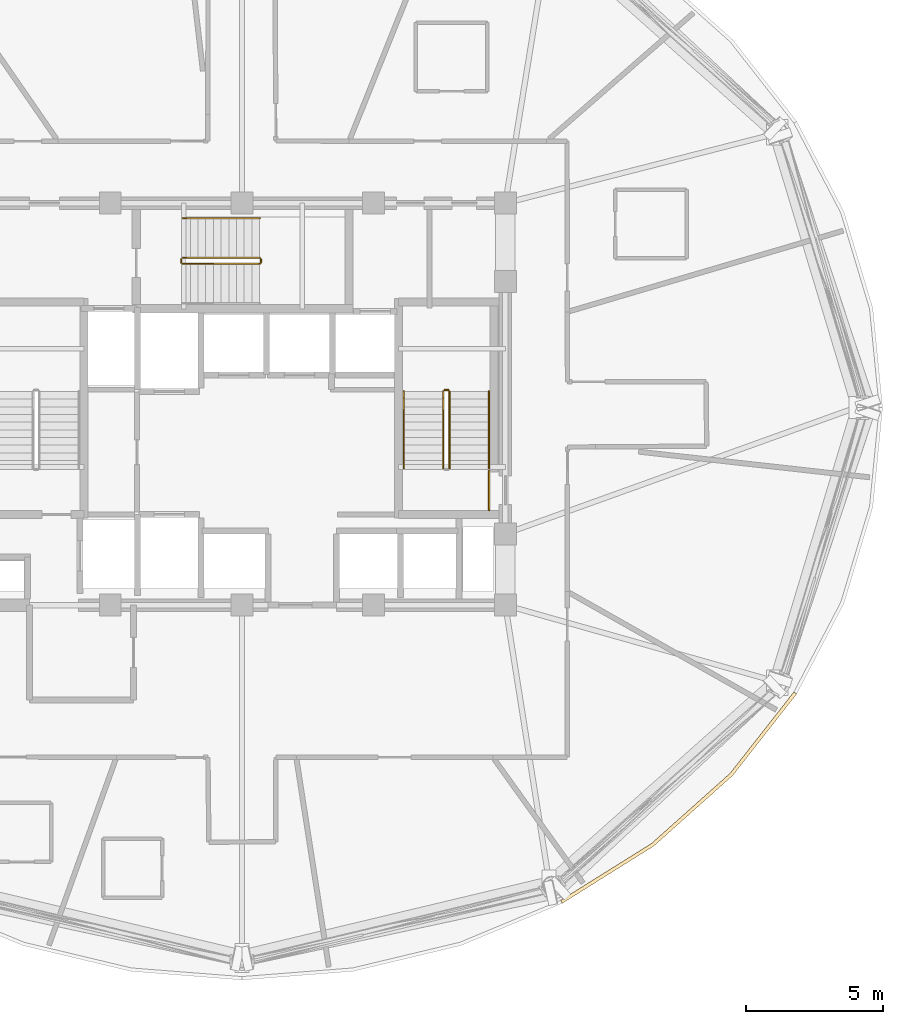
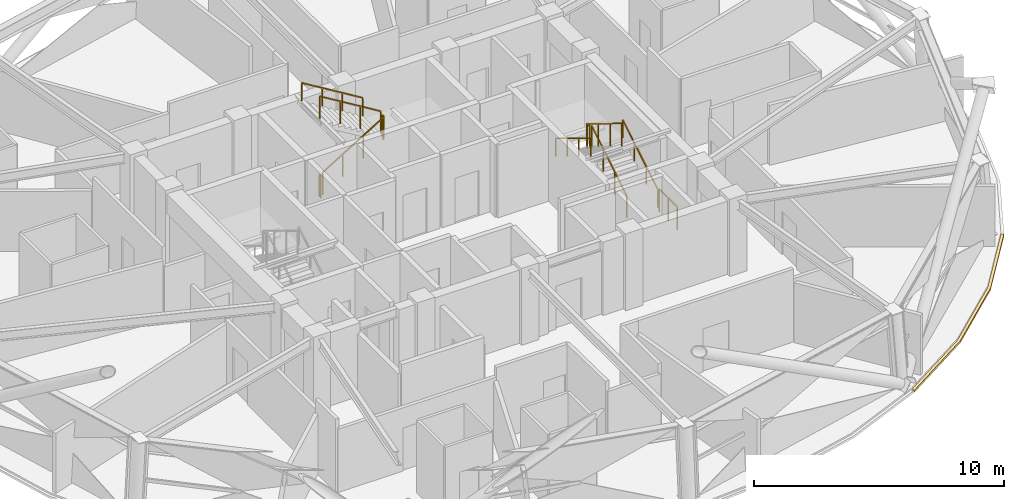
# One storey, part 11 of 12: 11 railings, 1 covering.
"""IFC4 building model written with IfcOpenShell, lengths in metres."""

from ifc_helpers import new_model, si_unit, direction, frame, origin, origin_2d, place, context, subcontext, project, spatial, polyline, rectangle, outline, extrude, material, layer, layer_set, type_object, element, save


model = new_model("IFC4")

# Units and contexts
model_context = context("Model", 3, precision=1e-05, world=origin(), true_north=direction((0.0, 1.0)))
body_context = subcontext(model_context, "Body", "Model", "MODEL_VIEW")
ifc_project = project(units=[si_unit("LENGTHUNIT", "METRE"), si_unit("AREAUNIT", "SQUARE_METRE"), si_unit("VOLUMEUNIT", "CUBIC_METRE"), si_unit("PLANEANGLEUNIT", "RADIAN"), si_unit("MASSUNIT", "GRAM", prefix="KILO")], contexts=[model_context])

# Site, building, storey
site_placement = place(None, origin())
site = spatial("IfcSite", under=ifc_project, at=site_placement, CompositionType="ELEMENT")
building_placement = place(site_placement, origin())
building = spatial("IfcBuilding", under=site, at=building_placement, Name="Vantalir Tower", CompositionType="ELEMENT")
storey_placement = place(building_placement, frame((0.0, 0.0, 197.39990234375)))
storey = spatial("IfcBuildingStorey", under=building, at=storey_placement, Name="L49", CompositionType="ELEMENT", Elevation=197.39990234375)

# Covering
ifc_material_1 = material(Name="Anodised champagne aluminium sill fascia", Category="aluminium")
ifc_layer = layer(ifc_material_1, 0.125)
ifc_layer_set = layer_set([ifc_layer], Name="Anodised champagne aluminium sill fascia")
covering_type = type_object("IfcCoveringType", Name="COV-SLAB-FASCIA-125", PredefinedType="CLADDING", material=ifc_layer_set)
covering_placement = place(storey_placement, frame((0.0, 0.0, -0.179931640625)))
element("IfcCovering", 1, at=covering_placement, inside=storey, type_object=covering_type, Name="L49 Perimeter Slab-Edge Sill Fascia 11", PredefinedType="CLADDING", context=body_context, shape_type="SweptSolid", body=[
    extrude(outline(polyline([(43.176025390625, 6.931884765625), (46.510009765625, 9.01806640625), (49.387939453125, 11.590087890625), (51.722900390625, 14.568115234375), (51.614013671875, 14.631103515625), (49.2919921875, 11.669921875), (46.428955078125, 9.114013671875), (43.113037109375, 7.0400390625), (43.176025390625, 6.931884765625)])), origin(), (0.0, 0.0, 1.0), 0.10498046875),
])

# Railings
ifc_material_2 = material(Name="Anodised aluminium and stainless steel guard", Category="steel")
railing_type_1 = type_object("IfcRailingType", Name="RAL-GUARD-1120", PredefinedType="GUARDRAIL", material=ifc_material_2)
railing_1_placement = place(storey_placement, frame((39.06005859375, 22.7900390625, 0.170654296875)))
element("IfcRailing", 2, at=railing_1_placement, inside=storey, type_object=railing_type_1, Name="L49 ST2 stair guard 1", PredefinedType="GUARDRAIL", context=body_context, shape_type="SweptSolid", body=[
    extrude(rectangle(XDim=0.048095703125, YDim=0.048095703125, at=origin_2d()), frame((0.0, 0.0, 1.09619140625), z_axis=(0.0, 0.854202870247, 0.519939858505), x_axis=(-1.0, 0.0, 0.0)), (0.0, 0.0, 1.0), 3.278076171875),
    extrude(rectangle(XDim=0.0419921875, YDim=0.0419921875, at=origin_2d()), origin(), (0.0, 0.0, 1.0), 1.072021484375),
    extrude(rectangle(XDim=0.0419921875, YDim=0.0419921875, at=origin_2d()), frame((0.0, 0.933349609375, 0.568115234375)), (0.0, 0.0, 1.0), 1.072021484375),
    extrude(rectangle(XDim=0.0419921875, YDim=0.0419921875, at=origin_2d()), frame((0.0, 1.86669921875, 1.13623046875)), (0.0, 0.0, 1.0), 1.072021484375),
    extrude(rectangle(XDim=0.0419921875, YDim=0.0419921875, at=origin_2d()), frame((0.0, 2.800048828125, 1.704345703125)), (0.0, 0.0, 1.0), 1.072021484375),
])
railing_2_placement = place(storey_placement, frame((39.010009765625, 25.639892578125, 1.875)))
element("IfcRailing", 3, at=railing_2_placement, inside=storey, type_object=railing_type_1, Name="L49 ST2 stair guard 2", PredefinedType="GUARDRAIL", context=body_context, shape_type="SweptSolid", body=[
    extrude(rectangle(XDim=0.048095703125, YDim=0.048095703125, at=origin_2d()), frame((0.0, 0.0, 1.09619140625), z_axis=(-1.0, 0.0, 0.0), x_axis=(0.0, -1.0, 0.0)), (0.0, 0.0, 1.0), 0.1201171875),
    extrude(rectangle(XDim=0.0419921875, YDim=0.0419921875, at=origin_2d()), origin(), (0.0, 0.0, 1.0), 1.072021484375),
    extrude(rectangle(XDim=0.0419921875, YDim=0.0419921875, at=origin_2d()), frame((-0.1201171875, 0.0, 0.0)), (0.0, 0.0, 1.0), 1.072021484375),
])
railing_3_placement = place(storey_placement, frame((38.840087890625, 25.590087890625, 2.045654296875)))
element("IfcRailing", 4, at=railing_3_placement, inside=storey, type_object=railing_type_1, Name="L49 ST2 stair guard 3", PredefinedType="GUARDRAIL", context=body_context, shape_type="SweptSolid", body=[
    extrude(rectangle(XDim=0.048095703125, YDim=0.048095703125, at=origin_2d()), frame((0.0, 0.0, 1.09619140625), z_axis=(0.0, -0.854202870247, 0.519939858505), x_axis=(1.0, 0.0, 0.0)), (0.0, 0.0, 1.0), 3.278076171875),
    extrude(rectangle(XDim=0.0419921875, YDim=0.0419921875, at=origin_2d()), origin(), (0.0, 0.0, 1.0), 1.072021484375),
    extrude(rectangle(XDim=0.0419921875, YDim=0.0419921875, at=origin_2d()), frame((0.0, -0.933349609375, 0.568115234375)), (0.0, 0.0, 1.0), 1.072021484375),
    extrude(rectangle(XDim=0.0419921875, YDim=0.0419921875, at=origin_2d()), frame((0.0, -1.86669921875, 1.13623046875)), (0.0, 0.0, 1.0), 1.072021484375),
    extrude(rectangle(XDim=0.0419921875, YDim=0.0419921875, at=origin_2d()), frame((0.0, -2.800048828125, 1.704345703125)), (0.0, 0.0, 1.0), 1.072021484375),
])
railing_4_placement = place(storey_placement, frame((29.340087890625, 30.239990234375, 0.170654296875)))
element("IfcRailing", 5, at=railing_4_placement, inside=storey, type_object=railing_type_1, Name="L49 ST3 stair guard 1", PredefinedType="GUARDRAIL", context=body_context, shape_type="SweptSolid", body=[
    extrude(rectangle(XDim=0.048095703125, YDim=0.048095703125, at=origin_2d()), frame((0.0, 0.0, 1.09619140625), z_axis=(0.854182733786, 0.0, 0.519972939009), x_axis=(0.0, 1.0, 0.0)), (0.0, 0.0, 1.0), 3.27783203125),
    extrude(rectangle(XDim=0.0419921875, YDim=0.0419921875, at=origin_2d()), origin(), (0.0, 0.0, 1.0), 1.072021484375),
    extrude(rectangle(XDim=0.0419921875, YDim=0.0419921875, at=origin_2d()), frame((0.933349609375, 0.0, 0.568115234375)), (0.0, 0.0, 1.0), 1.072021484375),
    extrude(rectangle(XDim=0.0419921875, YDim=0.0419921875, at=origin_2d()), frame((1.866455078125, 0.0, 1.13623046875)), (0.0, 0.0, 1.0), 1.072021484375),
    extrude(rectangle(XDim=0.0419921875, YDim=0.0419921875, at=origin_2d()), frame((2.7998046875, 0.0, 1.704345703125)), (0.0, 0.0, 1.0), 1.072021484375),
])
railing_5_placement = place(storey_placement, frame((32.18994140625, 30.2900390625, 1.875)))
element("IfcRailing", 6, at=railing_5_placement, inside=storey, type_object=railing_type_1, Name="L49 ST3 stair guard 2", PredefinedType="GUARDRAIL", context=body_context, shape_type="SweptSolid", body=[
    extrude(rectangle(XDim=0.048095703125, YDim=0.048095703125, at=origin_2d()), frame((0.0, 0.0, 1.09619140625), z_axis=(0.0, 1.0, 0.0), x_axis=(-1.0, 0.0, 0.0)), (0.0, 0.0, 1.0), 0.119873046875),
    extrude(rectangle(XDim=0.0419921875, YDim=0.0419921875, at=origin_2d()), origin(), (0.0, 0.0, 1.0), 1.072021484375),
    extrude(rectangle(XDim=0.0419921875, YDim=0.0419921875, at=origin_2d()), frame((0.0, 0.119873046875, 0.0)), (0.0, 0.0, 1.0), 1.072021484375),
])
railing_6_placement = place(storey_placement, frame((32.139892578125, 30.4599609375, 2.045654296875)))
element("IfcRailing", 7, at=railing_6_placement, inside=storey, type_object=railing_type_1, Name="L49 ST3 stair guard 3", PredefinedType="GUARDRAIL", context=body_context, shape_type="SweptSolid", body=[
    extrude(rectangle(XDim=0.048095703125, YDim=0.048095703125, at=origin_2d()), frame((0.0, 0.0, 1.09619140625), z_axis=(-0.854182733786, 0.0, 0.519972939009), x_axis=(0.0, -1.0, 0.0)), (0.0, 0.0, 1.0), 3.27783203125),
    extrude(rectangle(XDim=0.0419921875, YDim=0.0419921875, at=origin_2d()), origin(), (0.0, 0.0, 1.0), 1.072021484375),
    extrude(rectangle(XDim=0.0419921875, YDim=0.0419921875, at=origin_2d()), frame((-0.933349609375, 0.0, 0.568115234375)), (0.0, 0.0, 1.0), 1.072021484375),
    extrude(rectangle(XDim=0.0419921875, YDim=0.0419921875, at=origin_2d()), frame((-1.866455078125, 0.0, 1.13623046875)), (0.0, 0.0, 1.0), 1.072021484375),
    extrude(rectangle(XDim=0.0419921875, YDim=0.0419921875, at=origin_2d()), frame((-2.7998046875, 0.0, 1.704345703125)), (0.0, 0.0, 1.0), 1.072021484375),
])
railing_7_placement = place(storey_placement, frame((29.2900390625, 30.2900390625, 0.0)))
element("IfcRailing", 8, at=railing_7_placement, inside=storey, type_object=railing_type_1, Name="L49 ST3 stair guard 4", PredefinedType="GUARDRAIL", context=body_context, shape_type="SweptSolid", body=[
    extrude(rectangle(XDim=0.048095703125, YDim=0.048095703125, at=origin_2d()), frame((0.0, 0.0, 1.09619140625), z_axis=(0.0, 1.0, 0.0), x_axis=(-1.0, 0.0, 0.0)), (0.0, 0.0, 1.0), 0.119873046875),
    extrude(rectangle(XDim=0.0419921875, YDim=0.0419921875, at=origin_2d()), origin(), (0.0, 0.0, 1.0), 1.072021484375),
    extrude(rectangle(XDim=0.0419921875, YDim=0.0419921875, at=origin_2d()), frame((0.0, 0.119873046875, 0.0)), (0.0, 0.0, 1.0), 1.072021484375),
])
railing_8_placement = place(storey_placement, frame((40.510009765625, 21.260009765625, 0.0)))
element("IfcRailing", 9, at=railing_8_placement, inside=storey, type_object=railing_type_1, Name="L49 Stair ST2 Doorway Landing Guard", PredefinedType="GUARDRAIL", context=body_context, shape_type="SweptSolid", body=[
    extrude(rectangle(XDim=0.048095703125, YDim=0.048095703125, at=origin_2d()), frame((0.0, 0.0, 1.1259765625), z_axis=(0.0, 1.0, 0.0), x_axis=(-1.0, 0.0, 0.0)), (0.0, 0.0, 1.0), 1.43994140625),
    extrude(rectangle(XDim=0.0419921875, YDim=0.0419921875, at=origin_2d()), origin(), (0.0, 0.0, 1.0), 1.101806640625),
    extrude(rectangle(XDim=0.0419921875, YDim=0.0419921875, at=origin_2d()), frame((0.0, 0.719970703125, 0.0)), (0.0, 0.0, 1.0), 1.101806640625),
    extrude(rectangle(XDim=0.0419921875, YDim=0.0419921875, at=origin_2d()), frame((0.0, 1.43994140625, 0.0)), (0.0, 0.0, 1.0), 1.101806640625),
])
ifc_material_3 = material(Name="Brushed stainless steel tubular handrail", Category="steel")
railing_type_2 = type_object("IfcRailingType", Name="RAL-HANDRAIL-900", PredefinedType="HANDRAIL", material=ifc_material_3)
railing_9_placement = place(storey_placement, frame((40.5, 22.7900390625, 0.170654296875)))
element("IfcRailing", 10, at=railing_9_placement, inside=storey, type_object=railing_type_2, Name="L49 ST2 stair handrail 1", PredefinedType="HANDRAIL", context=body_context, shape_type="SweptSolid", body=[
    extrude(rectangle(XDim=0.048095703125, YDim=0.048095703125, at=origin_2d()), frame((0.0, 0.0, 0.8759765625), z_axis=(0.0, 0.854202870247, 0.519939858505), x_axis=(-1.0, 0.0, 0.0)), (0.0, 0.0, 1.0), 3.278076171875),
    extrude(rectangle(XDim=0.0419921875, YDim=0.0419921875, at=origin_2d()), origin(), (0.0, 0.0, 1.0), 0.851806640625),
    extrude(rectangle(XDim=0.0419921875, YDim=0.0419921875, at=origin_2d()), frame((0.0, 0.933349609375, 0.568115234375)), (0.0, 0.0, 1.0), 0.851806640625),
    extrude(rectangle(XDim=0.0419921875, YDim=0.0419921875, at=origin_2d()), frame((0.0, 1.86669921875, 1.13623046875)), (0.0, 0.0, 1.0), 0.851806640625),
    extrude(rectangle(XDim=0.0419921875, YDim=0.0419921875, at=origin_2d()), frame((0.0, 2.800048828125, 1.704345703125)), (0.0, 0.0, 1.0), 0.851806640625),
])
railing_10_placement = place(storey_placement, frame((37.39990234375, 25.590087890625, 2.045654296875)))
element("IfcRailing", 11, at=railing_10_placement, inside=storey, type_object=railing_type_2, Name="L49 ST2 stair handrail 2", PredefinedType="HANDRAIL", context=body_context, shape_type="SweptSolid", body=[
    extrude(rectangle(XDim=0.048095703125, YDim=0.048095703125, at=origin_2d()), frame((0.0, 0.0, 0.8759765625), z_axis=(0.0, -0.854202870247, 0.519939858505), x_axis=(1.0, 0.0, 0.0)), (0.0, 0.0, 1.0), 3.278076171875),
    extrude(rectangle(XDim=0.0419921875, YDim=0.0419921875, at=origin_2d()), origin(), (0.0, 0.0, 1.0), 0.851806640625),
    extrude(rectangle(XDim=0.0419921875, YDim=0.0419921875, at=origin_2d()), frame((0.0, -0.933349609375, 0.568115234375)), (0.0, 0.0, 1.0), 0.851806640625),
    extrude(rectangle(XDim=0.0419921875, YDim=0.0419921875, at=origin_2d()), frame((0.0, -1.86669921875, 1.13623046875)), (0.0, 0.0, 1.0), 0.851806640625),
    extrude(rectangle(XDim=0.0419921875, YDim=0.0419921875, at=origin_2d()), frame((0.0, -2.800048828125, 1.704345703125)), (0.0, 0.0, 1.0), 0.851806640625),
])
railing_11_placement = place(storey_placement, frame((32.139892578125, 31.89990234375, 2.045654296875)))
element("IfcRailing", 12, at=railing_11_placement, inside=storey, type_object=railing_type_2, Name="L49 ST3 stair handrail 2", PredefinedType="HANDRAIL", context=body_context, shape_type="SweptSolid", body=[
    extrude(rectangle(XDim=0.048095703125, YDim=0.048095703125, at=origin_2d()), frame((0.0, 0.0, 0.8759765625), z_axis=(-0.854182733786, 0.0, 0.519972939009), x_axis=(0.0, -1.0, 0.0)), (0.0, 0.0, 1.0), 3.27783203125),
    extrude(rectangle(XDim=0.0419921875, YDim=0.0419921875, at=origin_2d()), origin(), (0.0, 0.0, 1.0), 0.851806640625),
    extrude(rectangle(XDim=0.0419921875, YDim=0.0419921875, at=origin_2d()), frame((-0.933349609375, 0.0, 0.568115234375)), (0.0, 0.0, 1.0), 0.851806640625),
    extrude(rectangle(XDim=0.0419921875, YDim=0.0419921875, at=origin_2d()), frame((-1.866455078125, 0.0, 1.13623046875)), (0.0, 0.0, 1.0), 0.851806640625),
    extrude(rectangle(XDim=0.0419921875, YDim=0.0419921875, at=origin_2d()), frame((-2.7998046875, 0.0, 1.704345703125)), (0.0, 0.0, 1.0), 0.851806640625),
])

save(model, "model.ifc")
